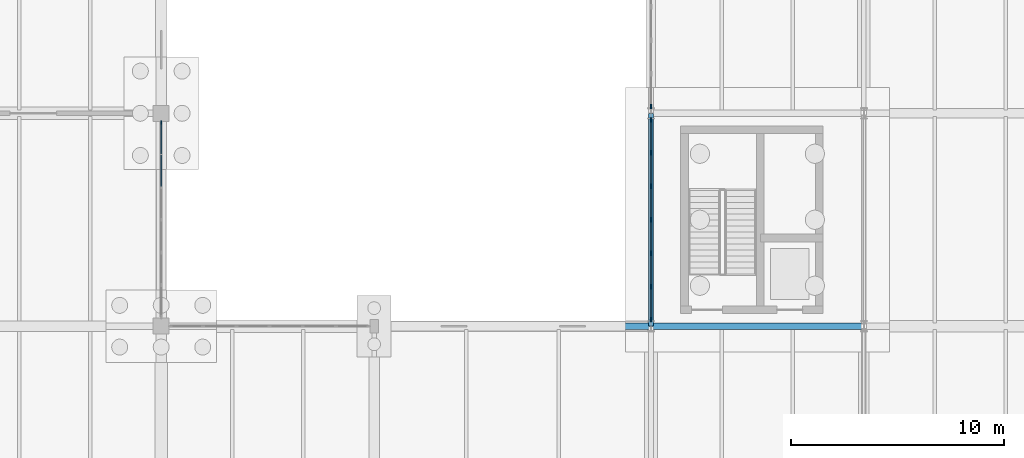
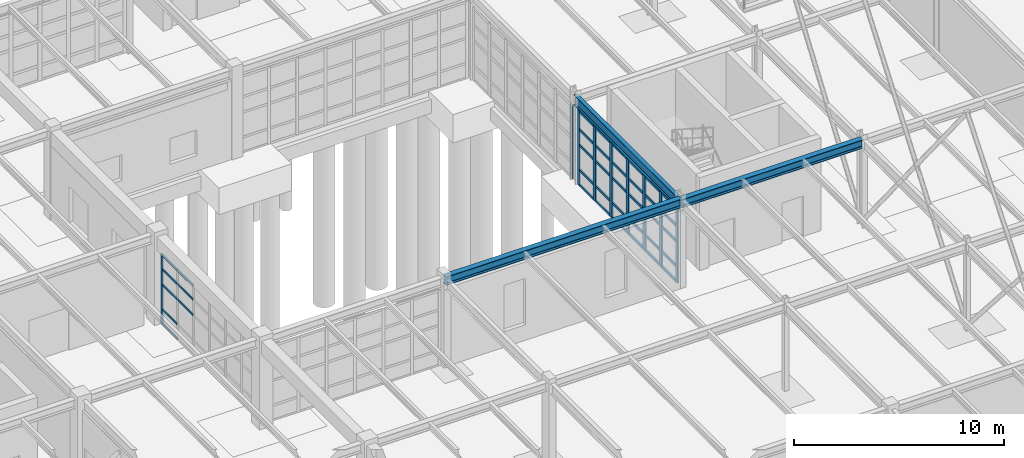
# One storey, part 40 of 145: 47 members, 3 beams, 3 elements without a shape of their own.
"""IFC4 building model written with IfcOpenShell, lengths in metres."""

import ifcopenshell
import ifcopenshell.guid

model = None  # the IFC model being written
_history = None  # IfcOwnerHistory: only IFC2X3 demands one
_inside = {}  # id of a spatial element -> (the spatial element, [elements in it])
_under = {}  # id of a project, library or spatial element -> (it, [spatial elements below it])
_declared = {}  # id of a project -> (the project, [libraries it declares])
_typed = {}  # id of a type object -> (the type object, [elements of that type])
_made_of = {}  # id of a material, layer set ... -> (it, [elements and type objects made of it])


def new_model(schema):
    """Start an empty IFC model of exactly this schema.

    Asked for "IFC4X3", IfcOpenShell would pick the latest addendum, in which some entities
    have other attributes; the version numbers below select the first issue.
    IFC2X3 requires an IfcOwnerHistory on every rooted entity: one is made here for all.
    """
    global model, _history
    if schema == "IFC4X3":
        model = ifcopenshell.file(schema_version=(4, 3, 0, 0))
    else:
        model = ifcopenshell.file(schema=schema)
    _inside.clear()
    _under.clear()
    _declared.clear()
    _typed.clear()
    _made_of.clear()
    _history = None
    if model.schema == "IFC2X3":
        org = make("IfcOrganization", Name="unknown")
        user = make(
            "IfcPersonAndOrganization",
            ThePerson=make("IfcPerson", FamilyName="unknown"),
            TheOrganization=org,
        )
        app = make(
            "IfcApplication",
            ApplicationDeveloper=org,
            Version="unknown",
            ApplicationFullName="unknown",
            ApplicationIdentifier="unknown",
        )
        _history = make(
            "IfcOwnerHistory",
            OwningUser=user,
            OwningApplication=app,
            ChangeAction="ADDED",
            CreationDate=0,
        )
    return model


def make(cls, **values):
    """One entity of the class cls with the attributes given. An attribute that is None is left unset."""
    return model.create_entity(
        cls, **{name: value for name, value in values.items() if value is not None}
    )


def rooted(cls, **values):
    """An entity with a GlobalId (a new one), such as an element, a storey or a relation."""
    return make(cls, GlobalId=ifcopenshell.guid.new(), OwnerHistory=_history, **values)


def si_unit(unit_type, name, prefix=None):
    """IfcSIUnit, for example si_unit("LENGTHUNIT", "METRE", prefix="MILLI")."""
    return make("IfcSIUnit", UnitType=unit_type, Prefix=prefix, Name=name)


def assignment(units):
    """IfcUnitAssignment: the units of a project."""
    return None if units is None else make("IfcUnitAssignment", Units=units)


def point(xyz):
    """IfcCartesianPoint."""
    return None if xyz is None else make("IfcCartesianPoint", Coordinates=xyz)


def direction(xyz):
    """IfcDirection."""
    return None if xyz is None else make("IfcDirection", DirectionRatios=xyz)


def frame(location, z_axis=None, x_axis=None):
    """IfcAxis2Placement3D, a coordinate frame: its origin and axes. An axis left out is left unset."""
    return make(
        "IfcAxis2Placement3D",
        Location=point(location),
        Axis=direction(z_axis),
        RefDirection=direction(x_axis),
    )


def frame_2d(location, x_axis=None):
    """IfcAxis2Placement2D, a coordinate frame in the plane: its origin and x axis."""
    return make(
        "IfcAxis2Placement2D", Location=point(location), RefDirection=direction(x_axis)
    )


def origin():
    """The frame at (0, 0, 0) with its axes left unset."""
    return frame((0.0, 0.0, 0.0))


def origin_2d():
    """The frame at (0, 0) in the plane with its x axis left unset."""
    return frame_2d((0.0, 0.0))


def place(relative_to, where):
    """IfcLocalPlacement: puts the frame where relative to a parent placement (None: the world)."""
    return make(
        "IfcLocalPlacement", PlacementRelTo=relative_to, RelativePlacement=where
    )


def context(
    kind, dimensions, precision=None, world=None, true_north=None, identifier=None
):
    """IfcGeometricRepresentationContext, for example the 3D "Model" context."""
    return make(
        "IfcGeometricRepresentationContext",
        ContextIdentifier=identifier,
        ContextType=kind,
        CoordinateSpaceDimension=dimensions,
        Precision=precision,
        WorldCoordinateSystem=world,
        TrueNorth=true_north,
    )


def subcontext(parent, identifier, kind, view, scale=None):
    """IfcGeometricRepresentationSubContext, for example "Body" below "Model"."""
    return make(
        "IfcGeometricRepresentationSubContext",
        ContextIdentifier=identifier,
        ContextType=kind,
        ParentContext=parent,
        TargetScale=scale,
        TargetView=view,
    )


def project(units=None, contexts=None):
    """IfcProject with its units and contexts."""
    return rooted(
        "IfcProject",
        Name="project",
        RepresentationContexts=contexts,
        UnitsInContext=assignment(units),
    )


def spatial(cls, under=None, at=None, **own):
    """A site, building, storey or space (cls), placed at a placement, below another one or the project."""
    s = rooted(cls, ObjectPlacement=at, **own)
    if under is not None:
        _under.setdefault(under.id(), (under, []))[1].append(s)
    return s


def profile(cls, at=None, kind="AREA", **sizes):
    """A parametric profile (cls). Its sizes go by their IFC names, for example OverallWidth=200.0."""
    return make(cls, ProfileType=kind, Position=at, **sizes)


def rectangle(**sizes):
    """IfcRectangleProfileDef."""
    return profile("IfcRectangleProfileDef", **sizes)


def i_section(**sizes):
    """IfcIShapeProfileDef."""
    return profile("IfcIShapeProfileDef", **sizes)


def extrude(swept, where, along, depth):
    """IfcExtrudedAreaSolid: the profile swept, set in the frame where, extruded along a direction by depth."""
    return make(
        "IfcExtrudedAreaSolid",
        SweptArea=swept,
        Position=where,
        ExtrudedDirection=direction(along),
        Depth=depth,
    )


def shape(context_of_items, identifier, shape_type, items):
    """IfcShapeRepresentation: the items that make up one representation, for example the "Body"."""
    return make(
        "IfcShapeRepresentation",
        ContextOfItems=context_of_items,
        RepresentationIdentifier=identifier,
        RepresentationType=shape_type,
        Items=items,
    )


def material(Name=None, Category=None):
    """IfcMaterial."""
    return make("IfcMaterial", Name=Name, Category=Category)


def layer(
    of_material, thickness, ventilated=None, Name=None, Category=None, Priority=None
):
    """IfcMaterialLayer: one layer of a wall or slab, of a material (None: an air gap)."""
    return make(
        "IfcMaterialLayer",
        Material=of_material,
        LayerThickness=thickness,
        IsVentilated=ventilated,
        Name=Name,
        Category=Category,
        Priority=Priority,
    )


def layer_set(layers, Name=None):
    """IfcMaterialLayerSet."""
    return make("IfcMaterialLayerSet", MaterialLayers=layers, LayerSetName=Name)


def material_profile(
    of_material, cross_section, Name=None, Category=None, Priority=None
):
    """IfcMaterialProfile: a cross section and its material."""
    return make(
        "IfcMaterialProfile",
        Name=Name,
        Material=of_material,
        Profile=cross_section,
        Priority=Priority,
        Category=Category,
    )


def profile_set(profiles, Name=None, composite=None):
    """IfcMaterialProfileSet."""
    return make(
        "IfcMaterialProfileSet",
        Name=Name,
        MaterialProfiles=profiles,
        CompositeProfile=composite,
    )


def made_of(thing, what):
    """Note that an element or type object is made of a material, layer set ...; save() writes the relation."""
    if what is not None:
        _made_of.setdefault(what.id(), (what, []))[1].append(thing)
    return thing


def type_object(cls, material=None, **own):
    """A type object (cls), such as IfcWallType, which elements share."""
    return made_of(rooted(cls, **own), material)


def element(
    cls,
    number,
    at=None,
    inside=None,
    cuts=None,
    type_object=None,
    material=None,
    context=None,
    identifier="Body",
    shape_type=None,
    held_by="IfcProductDefinitionShape",
    body=None,
    shapes=None,
    **own,
):
    """One element of the class cls, such as IfcWall. Its Tag is "e" and its number.

    at: its placement. inside: the storey or other place that contains it. cuts: it is an
    opening in that element (IfcRelVoidsElement). A single representation is given by context,
    identifier, shape_type and body (its items); several are given by shapes. held_by: the class
    of the entity that holds the representations. save() writes the other relations.
    """
    e = rooted(cls, Tag="e%d" % number, ObjectPlacement=at, **own)
    if body is not None:
        shapes = [shape(context, identifier, shape_type, body)]
    if shapes is not None:
        e.Representation = make(held_by, Representations=shapes)
    if inside is not None:
        _inside.setdefault(inside.id(), (inside, []))[1].append(e)
    if cuts is not None:
        rooted(
            "IfcRelVoidsElement", RelatingBuildingElement=cuts, RelatedOpeningElement=e
        )
    if type_object is not None:
        _typed.setdefault(type_object.id(), (type_object, []))[1].append(e)
    return made_of(e, material)


def aggregate(whole, parts):
    """IfcRelAggregates: a whole, such as a stair, and the parts it consists of."""
    return rooted("IfcRelAggregates", RelatingObject=whole, RelatedObjects=parts)


def save(model, path):
    """Write the relations noted so far, then the file.

    IfcRelAggregates (storeys below a building ...), IfcRelContainedInSpatialStructure (elements
    in a storey), IfcRelDefinesByType, IfcRelAssociatesMaterial and IfcRelDeclares: one each for
    every whole, place, type object, material and project.
    """
    for whole, parts in _under.values():
        aggregate(whole, parts)
    for where, things in _inside.values():
        rooted(
            "IfcRelContainedInSpatialStructure",
            RelatedElements=things,
            RelatingStructure=where,
        )
    for kind, things in _typed.values():
        rooted("IfcRelDefinesByType", RelatedObjects=things, RelatingType=kind)
    for what, things in _made_of.values():
        rooted("IfcRelAssociatesMaterial", RelatedObjects=things, RelatingMaterial=what)
    for by, libraries in _declared.values():
        rooted("IfcRelDeclares", RelatingContext=by, RelatedDefinitions=libraries)
    model.write(path)


model = new_model("IFC4")

# Units and contexts
model_context = context("Model", 3, precision=1e-05, world=origin(), true_north=direction((0.0, 1.0)))
body_context = subcontext(model_context, "Body", "Model", "MODEL_VIEW")
ifc_project = project(units=[si_unit("LENGTHUNIT", "METRE"), si_unit("AREAUNIT", "SQUARE_METRE"), si_unit("VOLUMEUNIT", "CUBIC_METRE"), si_unit("PLANEANGLEUNIT", "RADIAN"), si_unit("MASSUNIT", "GRAM", prefix="KILO"), si_unit("THERMODYNAMICTEMPERATUREUNIT", "KELVIN"), si_unit("POWERUNIT", "WATT")], contexts=[model_context])

# Site, building, storey
site_placement = place(None, origin())
site = spatial("IfcSite", under=ifc_project, at=site_placement, CompositionType="ELEMENT")
building_placement = place(site_placement, origin())
building = spatial("IfcBuilding", under=site, at=building_placement, Name="Korenveer Ferry Terminal", CompositionType="ELEMENT")
storey_placement = place(building_placement, origin())
storey = spatial("IfcBuildingStorey", under=building, at=storey_placement, Name="L00", CompositionType="ELEMENT", Elevation=0.0)

# Curtain wall, member
ifc_material_1 = material(Name="Unitised bronze-and-glass curtain wall", Category="glass")
ifc_layer_1 = layer(ifc_material_1, 0.159912109375)
ifc_layer_set_1 = layer_set([ifc_layer_1], Name="Unitised bronze-and-glass curtain wall")
curtain_wall_type_1 = type_object("IfcCurtainWallType", Name="ENV-CW-20", PredefinedType="USERDEFINED", material=ifc_layer_set_1)
curtain_wall_1_placement = place(storey_placement, frame((30.0, 59.594970703125, 0.0)))
curtain_wall_1 = element("IfcCurtainWall", 1, at=curtain_wall_1_placement, inside=storey, type_object=curtain_wall_type_1, Name="Lancet curtain wall CWX-L00-X30-30-Y50-60", ObjectType="UNITISED CURTAIN WALL", PredefinedType="USERDEFINED")
ifc_material_2 = material(Name="Anodised bronze aluminium", Category="aluminium")
ifc_material_profile_1 = material_profile(ifc_material_2, rectangle(XDim=0.06005859375, YDim=0.159912109375, at=origin_2d()), Name="ALU 60x160")
ifc_profile_set_1 = profile_set([ifc_material_profile_1], Name="Anodised bronze aluminium")
member_type_1 = type_object("IfcMemberType", Name="ENV-CWM-60X160", PredefinedType="MULLION", material=ifc_profile_set_1)
member_1_placement = place(storey_placement, frame((30.0, 59.56494140625, 0.0), z_axis=(0.0, 0.0, 1.0), x_axis=(1.0, 0.0, 0.0)))
member_1 = element("IfcMember", 2, at=member_1_placement, type_object=member_type_1, Name="CW-20 mullion 1", PredefinedType="MULLION", context=body_context, shape_type="SweptSolid", body=[
    extrude(rectangle(XDim=0.06005859375, YDim=0.159912109375, at=origin_2d()), origin(), (0.0, 0.0, 1.0), 4.090087890625),
])

# Curtain wall, members
ifc_layer_2 = layer(ifc_material_1, 0.219970703125)
ifc_layer_set_2 = layer_set([ifc_layer_2], Name="Unitised bronze-and-glass curtain wall")
curtain_wall_type_2 = type_object("IfcCurtainWallType", Name="ENV-CW-26", PredefinedType="USERDEFINED", material=ifc_layer_set_2)
curtain_wall_2_placement = place(storey_placement, frame((53.0, 50.280029296875, 0.0)))
curtain_wall_2 = element("IfcCurtainWall", 3, at=curtain_wall_2_placement, inside=storey, type_object=curtain_wall_type_2, Name="Lancet curtain wall CWX-L00-X53-53-Y50-60", ObjectType="UNITISED CURTAIN WALL", PredefinedType="USERDEFINED")
ifc_material_profile_2 = material_profile(ifc_material_2, rectangle(XDim=0.074951171875, YDim=0.219970703125, at=origin_2d()), Name="ALU 75x220")
ifc_profile_set_2 = profile_set([ifc_material_profile_2], Name="Anodised bronze aluminium")
member_type_2 = type_object("IfcMemberType", Name="ENV-CWM-75X220", PredefinedType="MULLION", material=ifc_profile_set_2)
member_2_placement = place(storey_placement, frame((53.0, 50.3173828125, 0.0), z_axis=(0.0, 0.0, 1.0), x_axis=(-1.0, 0.0, 0.0)))
member_2 = element("IfcMember", 4, at=member_2_placement, type_object=member_type_2, Name="CW-26 mullion 1", PredefinedType="MULLION", context=body_context, shape_type="SweptSolid", body=[
    extrude(rectangle(XDim=0.074951171875, YDim=0.219970703125, at=origin_2d()), origin(), (0.0, 0.0, 1.0), 4.35009765625),
])
member_3_placement = place(storey_placement, frame((53.0, 51.853271484375, 0.0), z_axis=(0.0, 0.0, 1.0), x_axis=(-1.0, 0.0, 0.0)))
member_3 = element("IfcMember", 5, at=member_3_placement, type_object=member_type_2, Name="CW-26 mullion 2", PredefinedType="MULLION", context=body_context, shape_type="SweptSolid", body=[
    extrude(rectangle(XDim=0.074951171875, YDim=0.219970703125, at=origin_2d()), origin(), (0.0, 0.0, 1.0), 4.35009765625),
])
member_4_placement = place(storey_placement, frame((53.0, 53.4267578125, 0.0), z_axis=(0.0, 0.0, 1.0), x_axis=(-1.0, 0.0, 0.0)))
member_4 = element("IfcMember", 6, at=member_4_placement, type_object=member_type_2, Name="CW-26 mullion 3", PredefinedType="MULLION", context=body_context, shape_type="SweptSolid", body=[
    extrude(rectangle(XDim=0.074951171875, YDim=0.219970703125, at=origin_2d()), origin(), (0.0, 0.0, 1.0), 4.35009765625),
])
member_5_placement = place(storey_placement, frame((53.0, 55.0, 0.0), z_axis=(0.0, 0.0, 1.0), x_axis=(-1.0, 0.0, 0.0)))
member_5 = element("IfcMember", 7, at=member_5_placement, type_object=member_type_2, Name="CW-26 mullion 4", PredefinedType="MULLION", context=body_context, shape_type="SweptSolid", body=[
    extrude(rectangle(XDim=0.074951171875, YDim=0.219970703125, at=origin_2d()), origin(), (0.0, 0.0, 1.0), 4.35009765625),
])
member_6_placement = place(storey_placement, frame((53.0, 56.5732421875, 0.0), z_axis=(0.0, 0.0, 1.0), x_axis=(-1.0, 0.0, 0.0)))
member_6 = element("IfcMember", 8, at=member_6_placement, type_object=member_type_2, Name="CW-26 mullion 5", PredefinedType="MULLION", context=body_context, shape_type="SweptSolid", body=[
    extrude(rectangle(XDim=0.074951171875, YDim=0.219970703125, at=origin_2d()), origin(), (0.0, 0.0, 1.0), 4.35009765625),
])
member_7_placement = place(storey_placement, frame((53.0, 58.146728515625, 0.0), z_axis=(0.0, 0.0, 1.0), x_axis=(-1.0, 0.0, 0.0)))
member_7 = element("IfcMember", 9, at=member_7_placement, type_object=member_type_2, Name="CW-26 mullion 6", PredefinedType="MULLION", context=body_context, shape_type="SweptSolid", body=[
    extrude(rectangle(XDim=0.074951171875, YDim=0.219970703125, at=origin_2d()), origin(), (0.0, 0.0, 1.0), 4.35009765625),
])
member_8_placement = place(storey_placement, frame((53.0, 59.6826171875, 0.0), z_axis=(0.0, 0.0, 1.0), x_axis=(-1.0, 0.0, 0.0)))
member_8 = element("IfcMember", 10, at=member_8_placement, type_object=member_type_2, Name="CW-26 mullion 7", PredefinedType="MULLION", context=body_context, shape_type="SweptSolid", body=[
    extrude(rectangle(XDim=0.074951171875, YDim=0.219970703125, at=origin_2d()), origin(), (0.0, 0.0, 1.0), 4.35009765625),
])

# Curtain wall, member
ifc_layer_3 = layer(ifc_material_1, 0.219970703125)
ifc_layer_set_3 = layer_set([ifc_layer_3], Name="Unitised bronze-and-glass curtain wall")
curtain_wall_type_3 = type_object("IfcCurtainWallType", Name="ENV-CW-27", PredefinedType="USERDEFINED", material=ifc_layer_set_3)
curtain_wall_3_placement = place(storey_placement, frame((53.0, 60.280029296875, 0.0)))
curtain_wall_3 = element("IfcCurtainWall", 11, at=curtain_wall_3_placement, inside=storey, type_object=curtain_wall_type_3, Name="Lancet curtain wall CWX-L00-X53-53-Y60-70", ObjectType="UNITISED CURTAIN WALL", PredefinedType="USERDEFINED")
member_9_placement = place(storey_placement, frame((53.0, 60.3173828125, 0.0), z_axis=(0.0, 0.0, 1.0), x_axis=(-1.0, 0.0, 0.0)))
member_9 = element("IfcMember", 12, at=member_9_placement, type_object=member_type_2, Name="CW-27 mullion 1", PredefinedType="MULLION", context=body_context, shape_type="SweptSolid", body=[
    extrude(rectangle(XDim=0.074951171875, YDim=0.219970703125, at=origin_2d()), origin(), (0.0, 0.0, 1.0), 4.25),
])
aggregate(curtain_wall_3, [member_9])

# Member
ifc_material_profile_3 = material_profile(ifc_material_2, rectangle(XDim=0.06005859375, YDim=0.1201171875, at=origin_2d()), Name="ALU 60x120")
ifc_profile_set_3 = profile_set([ifc_material_profile_3], Name="Anodised bronze aluminium")
member_type_3 = type_object("IfcMemberType", Name="ENV-CWT-60X120", PredefinedType="USERDEFINED", material=ifc_profile_set_3)
member_10_placement = place(storey_placement, frame((30.0, 59.534912109375, 0.030029296875), z_axis=(0.0, -1.0, 0.0), x_axis=(1.0, 0.0, 0.0)))
member_10 = element("IfcMember", 13, at=member_10_placement, type_object=member_type_3, Name="CW-20 transom 1.1", ObjectType="TRANSOM", PredefinedType="USERDEFINED", context=body_context, shape_type="SweptSolid", body=[
    extrude(rectangle(XDim=0.06005859375, YDim=0.1201171875, at=origin_2d()), origin(), (0.0, 0.0, 1.0), 1.441650390625),
])

member_11_placement = place(storey_placement, frame((30.0, 59.534912109375, 0.89990234375), z_axis=(0.0, -1.0, 0.0), x_axis=(1.0, 0.0, 0.0)))
member_11 = element("IfcMember", 14, at=member_11_placement, type_object=member_type_3, Name="CW-20 transom 1.2", ObjectType="TRANSOM", PredefinedType="USERDEFINED", context=body_context, shape_type="SweptSolid", body=[
    extrude(rectangle(XDim=0.06005859375, YDim=0.1201171875, at=origin_2d()), origin(), (0.0, 0.0, 1.0), 1.441650390625),
])

member_12_placement = place(storey_placement, frame((30.0, 59.534912109375, 2.35009765625), z_axis=(0.0, -1.0, 0.0), x_axis=(1.0, 0.0, 0.0)))
member_12 = element("IfcMember", 15, at=member_12_placement, type_object=member_type_3, Name="CW-20 transom 1.3", ObjectType="TRANSOM", PredefinedType="USERDEFINED", context=body_context, shape_type="SweptSolid", body=[
    extrude(rectangle(XDim=0.06005859375, YDim=0.1201171875, at=origin_2d()), origin(), (0.0, 0.0, 1.0), 1.441650390625),
])

member_13_placement = place(storey_placement, frame((30.0, 59.534912109375, 3.25), z_axis=(0.0, -1.0, 0.0), x_axis=(1.0, 0.0, 0.0)))
member_13 = element("IfcMember", 16, at=member_13_placement, type_object=member_type_3, Name="CW-20 transom 1.4", ObjectType="TRANSOM", PredefinedType="USERDEFINED", context=body_context, shape_type="SweptSolid", body=[
    extrude(rectangle(XDim=0.06005859375, YDim=0.1201171875, at=origin_2d()), origin(), (0.0, 0.0, 1.0), 1.441650390625),
])

member_14_placement = place(storey_placement, frame((30.0, 59.534912109375, 4.06005859375), z_axis=(0.0, -1.0, 0.0), x_axis=(1.0, 0.0, 0.0)))
member_14 = element("IfcMember", 17, at=member_14_placement, type_object=member_type_3, Name="CW-20 transom 1.5", ObjectType="TRANSOM", PredefinedType="USERDEFINED", context=body_context, shape_type="SweptSolid", body=[
    extrude(rectangle(XDim=0.06005859375, YDim=0.1201171875, at=origin_2d()), origin(), (0.0, 0.0, 1.0), 1.441650390625),
])

member_15_placement = place(storey_placement, frame((30.0, 58.033447265625, 2.35009765625), z_axis=(0.0, -1.0, 0.0), x_axis=(1.0, 0.0, 0.0)))
member_15 = element("IfcMember", 18, at=member_15_placement, type_object=member_type_3, Name="CW-20 transom 2.3", ObjectType="TRANSOM", PredefinedType="USERDEFINED", context=body_context, shape_type="SweptSolid", body=[
    extrude(rectangle(XDim=0.06005859375, YDim=0.1201171875, at=origin_2d()), origin(), (0.0, 0.0, 1.0), 1.4716796875),
])

member_16_placement = place(storey_placement, frame((30.0, 58.033447265625, 3.25), z_axis=(0.0, -1.0, 0.0), x_axis=(1.0, 0.0, 0.0)))
member_16 = element("IfcMember", 19, at=member_16_placement, type_object=member_type_3, Name="CW-20 transom 2.4", ObjectType="TRANSOM", PredefinedType="USERDEFINED", context=body_context, shape_type="SweptSolid", body=[
    extrude(rectangle(XDim=0.06005859375, YDim=0.1201171875, at=origin_2d()), origin(), (0.0, 0.0, 1.0), 1.4716796875),
])

member_17_placement = place(storey_placement, frame((30.0, 58.033447265625, 4.06005859375), z_axis=(0.0, -1.0, 0.0), x_axis=(1.0, 0.0, 0.0)))
member_17 = element("IfcMember", 20, at=member_17_placement, type_object=member_type_3, Name="CW-20 transom 2.5", ObjectType="TRANSOM", PredefinedType="USERDEFINED", context=body_context, shape_type="SweptSolid", body=[
    extrude(rectangle(XDim=0.06005859375, YDim=0.1201171875, at=origin_2d()), origin(), (0.0, 0.0, 1.0), 1.4716796875),
])

aggregate(curtain_wall_1, [member_1, member_10, member_11, member_12, member_13, member_14, member_15, member_16, member_17])

ifc_material_profile_4 = material_profile(ifc_material_2, rectangle(XDim=0.074951171875, YDim=0.14990234375, at=origin_2d()), Name="ALU 75x150")
ifc_profile_set_4 = profile_set([ifc_material_profile_4], Name="Anodised bronze aluminium")
member_type_4 = type_object("IfcMemberType", Name="ENV-CWT-75X150", PredefinedType="USERDEFINED", material=ifc_profile_set_4)
member_18_placement = place(storey_placement, frame((53.0, 50.35498046875, 0.03759765625), z_axis=(0.0, 1.0, 0.0), x_axis=(-1.0, 0.0, 0.0)))
member_18 = element("IfcMember", 21, at=member_18_placement, type_object=member_type_4, Name="CW-26 transom 1.1", ObjectType="TRANSOM", PredefinedType="USERDEFINED", context=body_context, shape_type="SweptSolid", body=[
    extrude(rectangle(XDim=0.074951171875, YDim=0.14990234375, at=origin_2d()), origin(), (0.0, 0.0, 1.0), 1.4609375),
])

member_19_placement = place(storey_placement, frame((53.0, 50.35498046875, 0.89990234375), z_axis=(0.0, 1.0, 0.0), x_axis=(-1.0, 0.0, 0.0)))
member_19 = element("IfcMember", 22, at=member_19_placement, type_object=member_type_4, Name="CW-26 transom 1.2", ObjectType="TRANSOM", PredefinedType="USERDEFINED", context=body_context, shape_type="SweptSolid", body=[
    extrude(rectangle(XDim=0.074951171875, YDim=0.14990234375, at=origin_2d()), origin(), (0.0, 0.0, 1.0), 1.4609375),
])

member_20_placement = place(storey_placement, frame((53.0, 50.35498046875, 2.35009765625), z_axis=(0.0, 1.0, 0.0), x_axis=(-1.0, 0.0, 0.0)))
member_20 = element("IfcMember", 23, at=member_20_placement, type_object=member_type_4, Name="CW-26 transom 1.3", ObjectType="TRANSOM", PredefinedType="USERDEFINED", context=body_context, shape_type="SweptSolid", body=[
    extrude(rectangle(XDim=0.074951171875, YDim=0.14990234375, at=origin_2d()), origin(), (0.0, 0.0, 1.0), 1.4609375),
])

member_21_placement = place(storey_placement, frame((53.0, 50.35498046875, 3.25), z_axis=(0.0, 1.0, 0.0), x_axis=(-1.0, 0.0, 0.0)))
member_21 = element("IfcMember", 24, at=member_21_placement, type_object=member_type_4, Name="CW-26 transom 1.4", ObjectType="TRANSOM", PredefinedType="USERDEFINED", context=body_context, shape_type="SweptSolid", body=[
    extrude(rectangle(XDim=0.074951171875, YDim=0.14990234375, at=origin_2d()), origin(), (0.0, 0.0, 1.0), 1.4609375),
])

member_22_placement = place(storey_placement, frame((53.0, 50.35498046875, 4.3125), z_axis=(0.0, 1.0, 0.0), x_axis=(-1.0, 0.0, 0.0)))
member_22 = element("IfcMember", 25, at=member_22_placement, type_object=member_type_4, Name="CW-26 transom 1.5", ObjectType="TRANSOM", PredefinedType="USERDEFINED", context=body_context, shape_type="SweptSolid", body=[
    extrude(rectangle(XDim=0.074951171875, YDim=0.14990234375, at=origin_2d()), origin(), (0.0, 0.0, 1.0), 1.4609375),
])

member_23_placement = place(storey_placement, frame((53.0, 51.890869140625, 0.03759765625), z_axis=(0.0, 1.0, 0.0), x_axis=(-1.0, 0.0, 0.0)))
member_23 = element("IfcMember", 26, at=member_23_placement, type_object=member_type_4, Name="CW-26 transom 2.1", ObjectType="TRANSOM", PredefinedType="USERDEFINED", context=body_context, shape_type="SweptSolid", body=[
    extrude(rectangle(XDim=0.074951171875, YDim=0.14990234375, at=origin_2d()), origin(), (0.0, 0.0, 1.0), 1.498291015625),
])

member_24_placement = place(storey_placement, frame((53.0, 51.890869140625, 0.89990234375), z_axis=(0.0, 1.0, 0.0), x_axis=(-1.0, 0.0, 0.0)))
member_24 = element("IfcMember", 27, at=member_24_placement, type_object=member_type_4, Name="CW-26 transom 2.2", ObjectType="TRANSOM", PredefinedType="USERDEFINED", context=body_context, shape_type="SweptSolid", body=[
    extrude(rectangle(XDim=0.074951171875, YDim=0.14990234375, at=origin_2d()), origin(), (0.0, 0.0, 1.0), 1.498291015625),
])

member_25_placement = place(storey_placement, frame((53.0, 51.890869140625, 2.35009765625), z_axis=(0.0, 1.0, 0.0), x_axis=(-1.0, 0.0, 0.0)))
member_25 = element("IfcMember", 28, at=member_25_placement, type_object=member_type_4, Name="CW-26 transom 2.3", ObjectType="TRANSOM", PredefinedType="USERDEFINED", context=body_context, shape_type="SweptSolid", body=[
    extrude(rectangle(XDim=0.074951171875, YDim=0.14990234375, at=origin_2d()), origin(), (0.0, 0.0, 1.0), 1.498291015625),
])

member_26_placement = place(storey_placement, frame((53.0, 51.890869140625, 3.25), z_axis=(0.0, 1.0, 0.0), x_axis=(-1.0, 0.0, 0.0)))
member_26 = element("IfcMember", 29, at=member_26_placement, type_object=member_type_4, Name="CW-26 transom 2.4", ObjectType="TRANSOM", PredefinedType="USERDEFINED", context=body_context, shape_type="SweptSolid", body=[
    extrude(rectangle(XDim=0.074951171875, YDim=0.14990234375, at=origin_2d()), origin(), (0.0, 0.0, 1.0), 1.498291015625),
])

member_27_placement = place(storey_placement, frame((53.0, 51.890869140625, 4.3125), z_axis=(0.0, 1.0, 0.0), x_axis=(-1.0, 0.0, 0.0)))
member_27 = element("IfcMember", 30, at=member_27_placement, type_object=member_type_4, Name="CW-26 transom 2.5", ObjectType="TRANSOM", PredefinedType="USERDEFINED", context=body_context, shape_type="SweptSolid", body=[
    extrude(rectangle(XDim=0.074951171875, YDim=0.14990234375, at=origin_2d()), origin(), (0.0, 0.0, 1.0), 1.498291015625),
])

member_28_placement = place(storey_placement, frame((53.0, 53.464111328125, 0.03759765625), z_axis=(0.0, 1.0, 0.0), x_axis=(-1.0, 0.0, 0.0)))
member_28 = element("IfcMember", 31, at=member_28_placement, type_object=member_type_4, Name="CW-26 transom 3.1", ObjectType="TRANSOM", PredefinedType="USERDEFINED", context=body_context, shape_type="SweptSolid", body=[
    extrude(rectangle(XDim=0.074951171875, YDim=0.14990234375, at=origin_2d()), origin(), (0.0, 0.0, 1.0), 1.498291015625),
])

member_29_placement = place(storey_placement, frame((53.0, 53.464111328125, 0.89990234375), z_axis=(0.0, 1.0, 0.0), x_axis=(-1.0, 0.0, 0.0)))
member_29 = element("IfcMember", 32, at=member_29_placement, type_object=member_type_4, Name="CW-26 transom 3.2", ObjectType="TRANSOM", PredefinedType="USERDEFINED", context=body_context, shape_type="SweptSolid", body=[
    extrude(rectangle(XDim=0.074951171875, YDim=0.14990234375, at=origin_2d()), origin(), (0.0, 0.0, 1.0), 1.498291015625),
])

member_30_placement = place(storey_placement, frame((53.0, 53.464111328125, 2.35009765625), z_axis=(0.0, 1.0, 0.0), x_axis=(-1.0, 0.0, 0.0)))
member_30 = element("IfcMember", 33, at=member_30_placement, type_object=member_type_4, Name="CW-26 transom 3.3", ObjectType="TRANSOM", PredefinedType="USERDEFINED", context=body_context, shape_type="SweptSolid", body=[
    extrude(rectangle(XDim=0.074951171875, YDim=0.14990234375, at=origin_2d()), origin(), (0.0, 0.0, 1.0), 1.498291015625),
])

member_31_placement = place(storey_placement, frame((53.0, 53.464111328125, 3.25), z_axis=(0.0, 1.0, 0.0), x_axis=(-1.0, 0.0, 0.0)))
member_31 = element("IfcMember", 34, at=member_31_placement, type_object=member_type_4, Name="CW-26 transom 3.4", ObjectType="TRANSOM", PredefinedType="USERDEFINED", context=body_context, shape_type="SweptSolid", body=[
    extrude(rectangle(XDim=0.074951171875, YDim=0.14990234375, at=origin_2d()), origin(), (0.0, 0.0, 1.0), 1.498291015625),
])

member_32_placement = place(storey_placement, frame((53.0, 53.464111328125, 4.3125), z_axis=(0.0, 1.0, 0.0), x_axis=(-1.0, 0.0, 0.0)))
member_32 = element("IfcMember", 35, at=member_32_placement, type_object=member_type_4, Name="CW-26 transom 3.5", ObjectType="TRANSOM", PredefinedType="USERDEFINED", context=body_context, shape_type="SweptSolid", body=[
    extrude(rectangle(XDim=0.074951171875, YDim=0.14990234375, at=origin_2d()), origin(), (0.0, 0.0, 1.0), 1.498291015625),
])

member_33_placement = place(storey_placement, frame((53.0, 55.03759765625, 0.03759765625), z_axis=(0.0, 1.0, 0.0), x_axis=(-1.0, 0.0, 0.0)))
member_33 = element("IfcMember", 36, at=member_33_placement, type_object=member_type_4, Name="CW-26 transom 4.1", ObjectType="TRANSOM", PredefinedType="USERDEFINED", context=body_context, shape_type="SweptSolid", body=[
    extrude(rectangle(XDim=0.074951171875, YDim=0.14990234375, at=origin_2d()), origin(), (0.0, 0.0, 1.0), 1.498291015625),
])

member_34_placement = place(storey_placement, frame((53.0, 55.03759765625, 0.89990234375), z_axis=(0.0, 1.0, 0.0), x_axis=(-1.0, 0.0, 0.0)))
member_34 = element("IfcMember", 37, at=member_34_placement, type_object=member_type_4, Name="CW-26 transom 4.2", ObjectType="TRANSOM", PredefinedType="USERDEFINED", context=body_context, shape_type="SweptSolid", body=[
    extrude(rectangle(XDim=0.074951171875, YDim=0.14990234375, at=origin_2d()), origin(), (0.0, 0.0, 1.0), 1.498291015625),
])

member_35_placement = place(storey_placement, frame((53.0, 55.03759765625, 2.35009765625), z_axis=(0.0, 1.0, 0.0), x_axis=(-1.0, 0.0, 0.0)))
member_35 = element("IfcMember", 38, at=member_35_placement, type_object=member_type_4, Name="CW-26 transom 4.3", ObjectType="TRANSOM", PredefinedType="USERDEFINED", context=body_context, shape_type="SweptSolid", body=[
    extrude(rectangle(XDim=0.074951171875, YDim=0.14990234375, at=origin_2d()), origin(), (0.0, 0.0, 1.0), 1.498291015625),
])

member_36_placement = place(storey_placement, frame((53.0, 55.03759765625, 3.25), z_axis=(0.0, 1.0, 0.0), x_axis=(-1.0, 0.0, 0.0)))
member_36 = element("IfcMember", 39, at=member_36_placement, type_object=member_type_4, Name="CW-26 transom 4.4", ObjectType="TRANSOM", PredefinedType="USERDEFINED", context=body_context, shape_type="SweptSolid", body=[
    extrude(rectangle(XDim=0.074951171875, YDim=0.14990234375, at=origin_2d()), origin(), (0.0, 0.0, 1.0), 1.498291015625),
])

member_37_placement = place(storey_placement, frame((53.0, 55.03759765625, 4.3125), z_axis=(0.0, 1.0, 0.0), x_axis=(-1.0, 0.0, 0.0)))
member_37 = element("IfcMember", 40, at=member_37_placement, type_object=member_type_4, Name="CW-26 transom 4.5", ObjectType="TRANSOM", PredefinedType="USERDEFINED", context=body_context, shape_type="SweptSolid", body=[
    extrude(rectangle(XDim=0.074951171875, YDim=0.14990234375, at=origin_2d()), origin(), (0.0, 0.0, 1.0), 1.498291015625),
])

member_38_placement = place(storey_placement, frame((53.0, 56.61083984375, 0.03759765625), z_axis=(0.0, 1.0, 0.0), x_axis=(-1.0, 0.0, 0.0)))
member_38 = element("IfcMember", 41, at=member_38_placement, type_object=member_type_4, Name="CW-26 transom 5.1", ObjectType="TRANSOM", PredefinedType="USERDEFINED", context=body_context, shape_type="SweptSolid", body=[
    extrude(rectangle(XDim=0.074951171875, YDim=0.14990234375, at=origin_2d()), origin(), (0.0, 0.0, 1.0), 1.498291015625),
])

member_39_placement = place(storey_placement, frame((53.0, 56.61083984375, 0.89990234375), z_axis=(0.0, 1.0, 0.0), x_axis=(-1.0, 0.0, 0.0)))
member_39 = element("IfcMember", 42, at=member_39_placement, type_object=member_type_4, Name="CW-26 transom 5.2", ObjectType="TRANSOM", PredefinedType="USERDEFINED", context=body_context, shape_type="SweptSolid", body=[
    extrude(rectangle(XDim=0.074951171875, YDim=0.14990234375, at=origin_2d()), origin(), (0.0, 0.0, 1.0), 1.498291015625),
])

member_40_placement = place(storey_placement, frame((53.0, 56.61083984375, 2.35009765625), z_axis=(0.0, 1.0, 0.0), x_axis=(-1.0, 0.0, 0.0)))
member_40 = element("IfcMember", 43, at=member_40_placement, type_object=member_type_4, Name="CW-26 transom 5.3", ObjectType="TRANSOM", PredefinedType="USERDEFINED", context=body_context, shape_type="SweptSolid", body=[
    extrude(rectangle(XDim=0.074951171875, YDim=0.14990234375, at=origin_2d()), origin(), (0.0, 0.0, 1.0), 1.498291015625),
])

member_41_placement = place(storey_placement, frame((53.0, 56.61083984375, 3.25), z_axis=(0.0, 1.0, 0.0), x_axis=(-1.0, 0.0, 0.0)))
member_41 = element("IfcMember", 44, at=member_41_placement, type_object=member_type_4, Name="CW-26 transom 5.4", ObjectType="TRANSOM", PredefinedType="USERDEFINED", context=body_context, shape_type="SweptSolid", body=[
    extrude(rectangle(XDim=0.074951171875, YDim=0.14990234375, at=origin_2d()), origin(), (0.0, 0.0, 1.0), 1.498291015625),
])

member_42_placement = place(storey_placement, frame((53.0, 56.61083984375, 4.3125), z_axis=(0.0, 1.0, 0.0), x_axis=(-1.0, 0.0, 0.0)))
member_42 = element("IfcMember", 45, at=member_42_placement, type_object=member_type_4, Name="CW-26 transom 5.5", ObjectType="TRANSOM", PredefinedType="USERDEFINED", context=body_context, shape_type="SweptSolid", body=[
    extrude(rectangle(XDim=0.074951171875, YDim=0.14990234375, at=origin_2d()), origin(), (0.0, 0.0, 1.0), 1.498291015625),
])

member_43_placement = place(storey_placement, frame((53.0, 58.18408203125, 0.03759765625), z_axis=(0.0, 1.0, 0.0), x_axis=(-1.0, 0.0, 0.0)))
member_43 = element("IfcMember", 46, at=member_43_placement, type_object=member_type_4, Name="CW-26 transom 6.1", ObjectType="TRANSOM", PredefinedType="USERDEFINED", context=body_context, shape_type="SweptSolid", body=[
    extrude(rectangle(XDim=0.074951171875, YDim=0.14990234375, at=origin_2d()), origin(), (0.0, 0.0, 1.0), 1.4609375),
])

member_44_placement = place(storey_placement, frame((53.0, 58.18408203125, 0.89990234375), z_axis=(0.0, 1.0, 0.0), x_axis=(-1.0, 0.0, 0.0)))
member_44 = element("IfcMember", 47, at=member_44_placement, type_object=member_type_4, Name="CW-26 transom 6.2", ObjectType="TRANSOM", PredefinedType="USERDEFINED", context=body_context, shape_type="SweptSolid", body=[
    extrude(rectangle(XDim=0.074951171875, YDim=0.14990234375, at=origin_2d()), origin(), (0.0, 0.0, 1.0), 1.4609375),
])

member_45_placement = place(storey_placement, frame((53.0, 58.18408203125, 2.35009765625), z_axis=(0.0, 1.0, 0.0), x_axis=(-1.0, 0.0, 0.0)))
member_45 = element("IfcMember", 48, at=member_45_placement, type_object=member_type_4, Name="CW-26 transom 6.3", ObjectType="TRANSOM", PredefinedType="USERDEFINED", context=body_context, shape_type="SweptSolid", body=[
    extrude(rectangle(XDim=0.074951171875, YDim=0.14990234375, at=origin_2d()), origin(), (0.0, 0.0, 1.0), 1.4609375),
])

member_46_placement = place(storey_placement, frame((53.0, 58.18408203125, 3.25), z_axis=(0.0, 1.0, 0.0), x_axis=(-1.0, 0.0, 0.0)))
member_46 = element("IfcMember", 49, at=member_46_placement, type_object=member_type_4, Name="CW-26 transom 6.4", ObjectType="TRANSOM", PredefinedType="USERDEFINED", context=body_context, shape_type="SweptSolid", body=[
    extrude(rectangle(XDim=0.074951171875, YDim=0.14990234375, at=origin_2d()), origin(), (0.0, 0.0, 1.0), 1.4609375),
])

member_47_placement = place(storey_placement, frame((53.0, 58.18408203125, 4.3125), z_axis=(0.0, 1.0, 0.0), x_axis=(-1.0, 0.0, 0.0)))
member_47 = element("IfcMember", 50, at=member_47_placement, type_object=member_type_4, Name="CW-26 transom 6.5", ObjectType="TRANSOM", PredefinedType="USERDEFINED", context=body_context, shape_type="SweptSolid", body=[
    extrude(rectangle(XDim=0.074951171875, YDim=0.14990234375, at=origin_2d()), origin(), (0.0, 0.0, 1.0), 1.4609375),
])

aggregate(curtain_wall_2, [member_2, member_3, member_4, member_5, member_6, member_7, member_8, member_18, member_19, member_20, member_21, member_22, member_23, member_24, member_25, member_26, member_27, member_28, member_29, member_30, member_31, member_32, member_33, member_34, member_35, member_36, member_37, member_38, member_39, member_40, member_41, member_42, member_43, member_44, member_45, member_46, member_47])

# Beams
ifc_material_3 = material(Name="Steel S355", Category="steel")
ifc_material_profile_5 = material_profile(ifc_material_3, i_section(OverallWidth=0.300048828125, OverallDepth=0.5, WebThickness=0.014404296875, FlangeThickness=0.028076171875, FilletRadius=0.027099609375, at=origin_2d()), Name="HEB 500")
ifc_profile_set_5 = profile_set([ifc_material_profile_5], Name="Steel S355")
beam_type_1 = type_object("IfcBeamType", Name="STR-BM-HEB500", PredefinedType="BEAM", material=ifc_profile_set_5)
beam_1_placement = place(storey_placement, frame((40.02001953125, 50.0, 4.8701171875), z_axis=(1.0, 0.0, 0.0), x_axis=(0.0, 1.0, 0.0)))
element("IfcBeam", 51, at=beam_1_placement, inside=storey, type_object=beam_type_1, Name="Primary X girder BMX-L01-X40-53-Y50", PredefinedType="BEAM", context=body_context, shape_type="SweptSolid", body=[
    extrude(i_section(OverallWidth=0.300048828125, OverallDepth=0.5, WebThickness=0.014404296875, FlangeThickness=0.028076171875, FilletRadius=0.027099609375, at=origin_2d()), origin(), (0.0, 0.0, 1.0), 12.9599609375),
])
beam_2_placement = place(storey_placement, frame((53.02001953125, 50.0, 4.830078125), z_axis=(1.0, 0.0, 0.0), x_axis=(0.0, 1.0, 0.0)))
element("IfcBeam", 52, at=beam_2_placement, inside=storey, type_object=beam_type_1, Name="Primary X girder BMX-L01-X53-63-Y50", PredefinedType="BEAM", context=body_context, shape_type="SweptSolid", body=[
    extrude(i_section(OverallWidth=0.300048828125, OverallDepth=0.5, WebThickness=0.014404296875, FlangeThickness=0.028076171875, FilletRadius=0.027099609375, at=origin_2d()), origin(), (0.0, 0.0, 1.0), 9.9599609375),
])
ifc_material_profile_6 = material_profile(ifc_material_3, i_section(OverallWidth=0.219970703125, OverallDepth=0.60009765625, WebThickness=0.011962890625, FlangeThickness=0.01904296875, FilletRadius=0.02392578125, at=origin_2d()), Name="IPE 600")
ifc_profile_set_6 = profile_set([ifc_material_profile_6], Name="Steel S355")
beam_type_2 = type_object("IfcBeamType", Name="STR-BM-IPE600", PredefinedType="BEAM", material=ifc_profile_set_6)
beam_3_placement = place(storey_placement, frame((53.0, 50.02001953125, 4.780029296875), z_axis=(0.0, 1.0, 0.0), x_axis=(-1.0, 0.0, 0.0)))
element("IfcBeam", 53, at=beam_3_placement, inside=storey, type_object=beam_type_2, Name="Primary Y girder BMY-L01-X53-Y50-60", PredefinedType="BEAM", context=body_context, shape_type="SweptSolid", body=[
    extrude(i_section(OverallWidth=0.219970703125, OverallDepth=0.60009765625, WebThickness=0.011962890625, FlangeThickness=0.01904296875, FilletRadius=0.02392578125, at=origin_2d()), origin(), (0.0, 0.0, 1.0), 9.9599609375),
])

save(model, "model.ifc")
